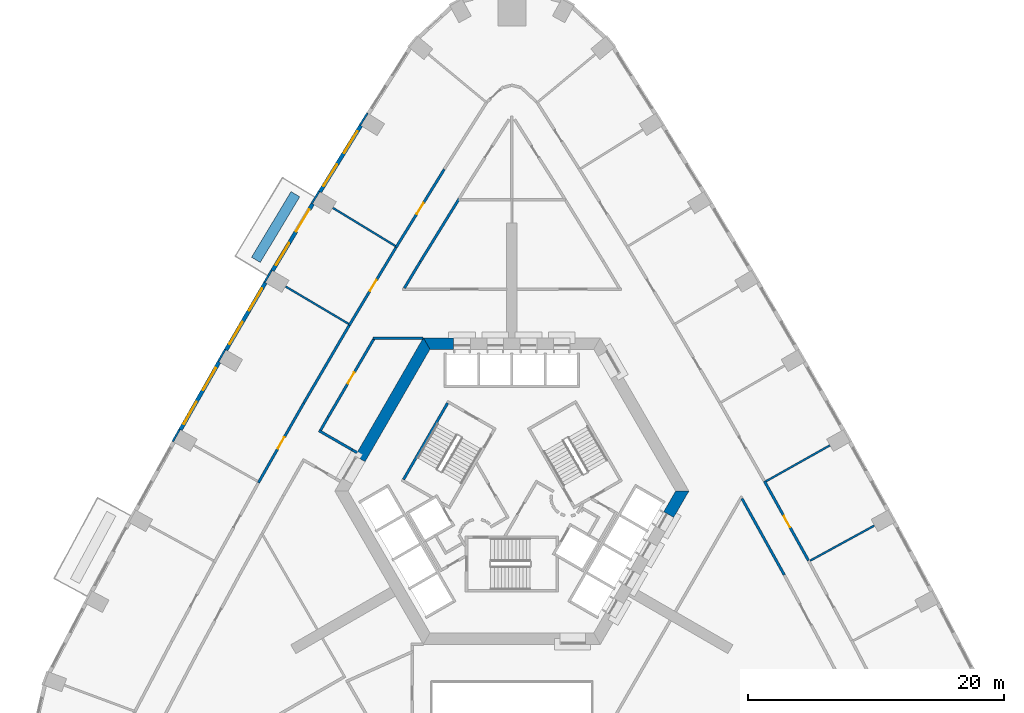
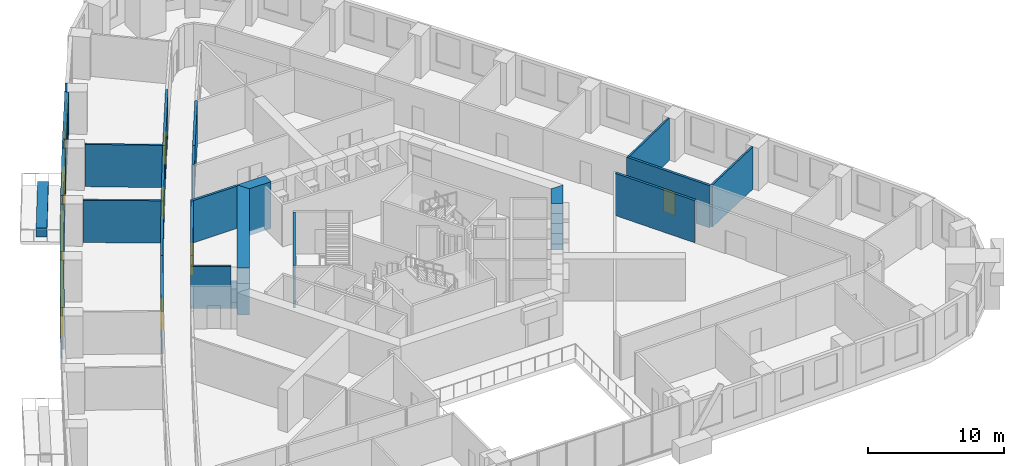
# One storey, part 8 of 16: 31 walls, 7 windows, 6 doors, 13 openings.
"""IFC4 building model written with IfcOpenShell, lengths in metres."""

from ifc_helpers import new_model, si_unit, direction, frame, frame_2d, origin, place, context, subcontext, project, spatial, polyline, rectangle, outline, extrude, material, layer, layer_set, type_object, element, fill, save


model = new_model("IFC4")

# Units and contexts
model_context = context("Model", 3, precision=1e-05, world=origin(), true_north=direction((0.0, 1.0)))
body_context = subcontext(model_context, "Body", "Model", "MODEL_VIEW")
ifc_project = project(units=[si_unit("LENGTHUNIT", "METRE"), si_unit("AREAUNIT", "SQUARE_METRE"), si_unit("VOLUMEUNIT", "CUBIC_METRE"), si_unit("PLANEANGLEUNIT", "RADIAN"), si_unit("MASSUNIT", "GRAM", prefix="KILO")], contexts=[model_context])

# Site, building, storey
site_placement = place(None, origin())
site = spatial("IfcSite", under=ifc_project, at=site_placement, CompositionType="ELEMENT")
building_placement = place(site_placement, origin())
building = spatial("IfcBuilding", under=site, at=building_placement, Name="Entoto Arch Interchange Tower", CompositionType="ELEMENT")
storey_placement = place(building_placement, frame((0.0, 0.0, 95.0)))
storey = spatial("IfcBuildingStorey", under=building, at=storey_placement, Name="L20", CompositionType="ELEMENT", Elevation=95.0)

# Walls
ifc_material_1 = material(Name="Concrete C60/75", Category="concrete")
ifc_layer_1 = layer(ifc_material_1, 0.89990234375)
ifc_layer_set_1 = layer_set([ifc_layer_1], Name="Concrete C60/75")
wall_type_1 = type_object("IfcWallType", Name="Core wall 900 C60/75", PredefinedType="SHEAR", material=ifc_layer_set_1)
wall_1_placement = place(storey_placement, frame((0.0, 0.0, -0.39990234375)))
element("IfcWall", 1, at=wall_1_placement, inside=storey, type_object=wall_type_1, Name="Core wall N L20", PredefinedType="SHEAR", context=body_context, shape_type="SweptSolid", body=[
    extrude(outline(polyline([(-4.550048828125, 13.60009765625), (-4.550048828125, 14.5), (-6.927978515625, 14.5), (-6.408935546875, 13.60009765625), (-4.550048828125, 13.60009765625)])), origin(), (0.0, 0.0, 1.0), 4.199951171875),
])
wall_2_placement = place(storey_placement, frame((0.0, 0.0, -0.39990234375)))
element("IfcWall", 2, at=wall_2_placement, inside=storey, type_object=wall_type_1, Name="Core wall NW L20", PredefinedType="SHEAR", context=body_context, shape_type="SweptSolid", body=[
    extrude(outline(polyline([(-12.26708984375, 5.251953125), (-11.488037109375, 4.802001953125), (-6.408935546875, 13.60009765625), (-6.927978515625, 14.5), (-12.26708984375, 5.251953125)])), origin(), (0.0, 0.0, 1.0), 4.199951171875),
])
wall_3_placement = place(storey_placement, frame((0.0, 0.0, -0.39990234375)))
element("IfcWall", 3, at=wall_3_placement, inside=storey, type_object=wall_type_1, Name="Core wall SE L20", PredefinedType="SHEAR", context=body_context, shape_type="SweptSolid", body=[
    extrude(outline(polyline([(11.887939453125, 0.889892578125), (12.6669921875, 0.43994140625), (13.85595703125, 2.5), (12.81689453125, 2.5), (11.887939453125, 0.889892578125)])), origin(), (0.0, 0.0, 1.0), 4.199951171875),
])
ifc_material_2 = material(Name="Gypsum board partition on steel studs", Category="steel")
ifc_layer_2 = layer(ifc_material_2, 0.14990234375)
ifc_layer_set_2 = layer_set([ifc_layer_2], Name="Gypsum board partition on steel studs")
wall_type_2 = type_object("IfcWallType", Name="PARTITION 150", PredefinedType="PARTITIONING", material=ifc_layer_set_2)
wall_4_placement = place(storey_placement, frame((23.3359375, -2.949951171875, 0.0), z_axis=(0.0, 0.0, 1.0), x_axis=(0.877455496162, 0.479658057637, 0.0)))
element("IfcWall", 4, at=wall_4_placement, inside=storey, type_object=wall_type_2, Name="wall:L20:p116", PredefinedType="PARTITIONING", context=body_context, shape_type="SweptSolid", body=[
    extrude(rectangle(XDim=5.729248046875, YDim=0.14990234375, at=frame_2d((2.86474609375, 0.0))), origin(), (0.0, 0.0, 1.0), 3.800048828125),
])
wall_5_placement = place(storey_placement, frame((19.887939453125, 3.27001953125, 0.0), z_axis=(0.0, 0.0, 1.0), x_axis=(0.871789386467, 0.489880868828, 0.0)))
element("IfcWall", 5, at=wall_5_placement, inside=storey, type_object=wall_type_2, Name="wall:L20:p117", PredefinedType="PARTITIONING", context=body_context, shape_type="SweptSolid", body=[
    extrude(rectangle(XDim=5.729736328125, YDim=0.14990234375, at=frame_2d((2.86474609375, 0.0))), origin(), (0.0, 0.0, 1.0), 3.800048828125),
])
wall_6_placement = place(storey_placement, frame((-9.113037109375, 21.68408203125, 0.0), z_axis=(0.0, 0.0, 1.0), x_axis=(-0.854075097122, 0.520149717367, 0.0)))
element("IfcWall", 6, at=wall_6_placement, inside=storey, type_object=wall_type_2, Name="wall:L20:p124", PredefinedType="PARTITIONING", context=body_context, shape_type="SweptSolid", body=[
    extrude(rectangle(XDim=5.72900390625, YDim=0.14990234375, at=frame_2d((2.864501953125, 0.0))), origin(), (0.0, 0.0, 1.0), 3.800048828125),
])
wall_7_placement = place(storey_placement, frame((-12.77587890625, 15.589111328125, 0.0), z_axis=(0.0, 0.0, 1.0), x_axis=(-0.860225086153, 0.509914503768, 0.0)))
element("IfcWall", 7, at=wall_7_placement, inside=storey, type_object=wall_type_2, Name="wall:L20:p125", PredefinedType="PARTITIONING", context=body_context, shape_type="SweptSolid", body=[
    extrude(rectangle(XDim=5.730224609375, YDim=0.14990234375, at=frame_2d((2.865234375, 0.0))), origin(), (0.0, 0.0, 1.0), 3.800048828125),
])
ifc_layer_3 = layer(ifc_material_2, 0.199951171875)
ifc_layer_set_3 = layer_set([ifc_layer_3], Name="Gypsum board partition on steel studs")
wall_type_3 = type_object("IfcWallType", Name="PARTITION 200", PredefinedType="PARTITIONING", material=ifc_layer_set_3)
wall_8_placement = place(storey_placement, frame((-4.1259765625, 25.385009765625, 0.0), z_axis=(0.0, 0.0, 1.0), x_axis=(-0.525162244663, -0.851002125016, 0.0)))
element("IfcWall", 8, at=wall_8_placement, inside=storey, type_object=wall_type_3, Name="wall:L20:p003", PredefinedType="PARTITIONING", context=body_context, shape_type="SweptSolid", body=[
    extrude(rectangle(XDim=5.75439453125, YDim=0.199951171875, at=frame_2d((2.877197265625, 0.0))), origin(), (0.0, 0.0, 1.0), 3.800048828125),
])
wall_9_placement = place(storey_placement, frame((-7.14794921875, 20.488037109375, 0.0), z_axis=(0.0, 0.0, 1.0), x_axis=(-0.515008089027, -0.857185317325, 0.0)))
element("IfcWall", 9, at=wall_9_placement, inside=storey, type_object=wall_type_3, Name="wall:L20:p004", PredefinedType="PARTITIONING", context=body_context, shape_type="SweptSolid", body=[
    extrude(rectangle(XDim=2.452392578125, YDim=0.199951171875, at=frame_2d((1.22607421875, 0.0))), origin(), (0.0, 0.0, 1.0), 3.800048828125),
])

# Wall, opening, door
wall_10_placement = place(storey_placement, frame((-10.797119140625, 14.4150390625, 0.0), z_axis=(0.0, 0.0, 1.0), x_axis=(-0.505008297342, -0.863114488128, 0.0)))
wall_10 = element("IfcWall", 10, at=wall_10_placement, inside=storey, type_object=wall_type_3, Name="wall:L20:p005", PredefinedType="PARTITIONING", context=body_context, shape_type="SweptSolid", body=[
    extrude(rectangle(XDim=7.084716796875, YDim=0.199951171875, at=frame_2d((3.54248046875, 0.0))), origin(), (0.0, 0.0, 1.0), 3.800048828125),
])
opening_1_placement = place(wall_10_placement, frame((3.04296875, 0.0, 0.0)))
opening_1 = element("IfcOpeningElement", 11, at=opening_1_placement, cuts=wall_10, Name="Opening L20-D36", PredefinedType="OPENING", context=body_context, shape_type="SweptSolid", body=[
    extrude(rectangle(XDim=1.0, YDim=2.10009765625, at=frame_2d((0.5, 1.050048828125))), frame((0.0, 0.10986328125, 0.0), z_axis=(0.0, -1.0, 0.0), x_axis=(1.0, 0.0, 0.0)), (0.0, 0.0, 1.0), 0.219970703125),
])
ifc_material_3 = material(Name="Timber door leaf in Steel S235 frame", Category="steel")
door_type_1 = type_object("IfcDoorType", Name="DOOR DS-10 1000x2100", OperationType="SINGLE_SWING_LEFT", PredefinedType="DOOR", material=ifc_material_3)
door_1_placement = place(opening_1_placement, origin())
door_1 = element("IfcDoor", 12, at=door_1_placement, inside=storey, type_object=door_type_1, Name="door:L20:36", OperationType="SINGLE_SWING_LEFT", OverallHeight=2.10009765625, OverallWidth=1.0, PredefinedType="DOOR", context=body_context, shape_type="SweptSolid", body=[
    extrude(rectangle(XDim=1.0, YDim=2.10009765625, at=frame_2d((0.5, 1.050048828125))), frame((0.0, 0.02490234375, 0.0), z_axis=(0.0, -1.0, 0.0), x_axis=(1.0, 0.0, 0.0)), (0.0, 0.0, 1.0), 0.050048828125),
])
fill(opening_1, door_1)

# Walls
wall_11_placement = place(storey_placement, frame((-14.375, 8.300048828125, 0.0), z_axis=(0.0, 0.0, 1.0), x_axis=(-0.495074026382, -0.868850797549, 0.0)))
element("IfcWall", 13, at=wall_11_placement, inside=storey, type_object=wall_type_3, Name="wall:L20:p006", PredefinedType="PARTITIONING", context=body_context, shape_type="SweptSolid", body=[
    extrude(rectangle(XDim=1.185546875, YDim=0.199951171875, at=frame_2d((0.5927734375, 0.0))), origin(), (0.0, 0.0, 1.0), 3.800048828125),
])
wall_12_placement = place(storey_placement, frame((-15.097900390625, 7.23291015625, 0.0), z_axis=(0.0, 0.0, 1.0), x_axis=(0.866101363304, -0.499868411168, 0.0)))
element("IfcWall", 14, at=wall_12_placement, inside=storey, type_object=wall_type_3, Name="wall:L20:p007", PredefinedType="PARTITIONING", context=body_context, shape_type="SweptSolid", body=[
    extrude(rectangle(XDim=2.992431640625, YDim=0.199951171875, at=frame_2d((1.49609375, 0.0))), origin(), (0.0, 0.0, 1.0), 3.800048828125),
])
wall_13_placement = place(storey_placement, frame((21.31689453125, -4.052978515625, 0.0), z_axis=(0.0, 0.0, 1.0), x_axis=(-0.484816829319, 0.874615711046, 0.0)))
element("IfcWall", 15, at=wall_13_placement, inside=storey, type_object=wall_type_3, Name="wall:L20:p018", PredefinedType="PARTITIONING", context=body_context, shape_type="SweptSolid", body=[
    extrude(rectangle(XDim=6.826904296875, YDim=0.199951171875, at=frame_2d((3.41357421875, 0.0))), origin(), (0.0, 0.0, 1.0), 3.800048828125),
])

# Wall, opening, door
wall_14_placement = place(storey_placement, frame((19.763916015625, 3.285888671875, 0.0), z_axis=(0.0, 0.0, 1.0), x_axis=(0.484858403734, -0.874592664232, 0.0)))
wall_14 = element("IfcWall", 16, at=wall_14_placement, inside=storey, type_object=wall_type_3, Name="wall:L20:p041", PredefinedType="PARTITIONING", context=body_context, shape_type="SweptSolid", body=[
    extrude(rectangle(XDim=7.109375, YDim=0.199951171875, at=frame_2d((3.5546875, 0.0))), origin(), (0.0, 0.0, 1.0), 3.800048828125),
])
opening_2_placement = place(wall_14_placement, frame((3.1298828125, 0.0, 0.0)))
opening_2 = element("IfcOpeningElement", 17, at=opening_2_placement, cuts=wall_14, Name="Opening L20-D07", PredefinedType="OPENING", context=body_context, shape_type="SweptSolid", body=[
    extrude(rectangle(XDim=1.0, YDim=2.10009765625, at=frame_2d((0.5, 1.050048828125))), frame((0.0, 0.10986328125, 0.0), z_axis=(0.0, -1.0, 0.0), x_axis=(1.0, 0.0, 0.0)), (0.0, 0.0, 1.0), 0.219970703125),
])
door_2_placement = place(opening_2_placement, origin())
door_2 = element("IfcDoor", 18, at=door_2_placement, inside=storey, type_object=door_type_1, Name="door:L20:07", OperationType="SINGLE_SWING_LEFT", OverallHeight=2.10009765625, OverallWidth=1.0, PredefinedType="DOOR", context=body_context, shape_type="SweptSolid", body=[
    extrude(rectangle(XDim=1.0, YDim=2.10009765625, at=frame_2d((0.5, 1.050048828125))), frame((0.0, 0.02490234375, 0.0), z_axis=(0.0, -1.0, 0.0), x_axis=(1.0, 0.0, 0.0)), (0.0, 0.0, 1.0), 0.050048828125),
])
fill(opening_2, door_2)

wall_15_placement = place(storey_placement, frame((-9.06689453125, 21.568115234375, 0.0), z_axis=(0.0, 0.0, 1.0), x_axis=(0.525131931126, 0.851020831068, 0.0)))
wall_15 = element("IfcWall", 19, at=wall_15_placement, inside=storey, type_object=wall_type_3, Name="wall:L20:p051", PredefinedType="PARTITIONING", context=body_context, shape_type="SweptSolid", body=[
    extrude(rectangle(XDim=7.1865234375, YDim=0.199951171875, at=frame_2d((3.59326171875, 0.0))), origin(), (0.0, 0.0, 1.0), 3.800048828125),
])
opening_3_placement = place(wall_15_placement, frame((3.093017578125, 0.0, 0.0)))
opening_3 = element("IfcOpeningElement", 20, at=opening_3_placement, cuts=wall_15, Name="Opening L20-D14", PredefinedType="OPENING", context=body_context, shape_type="SweptSolid", body=[
    extrude(rectangle(XDim=1.0, YDim=2.10009765625, at=frame_2d((0.5, 1.050048828125))), frame((0.0, 0.10986328125, 0.0), z_axis=(0.0, -1.0, 0.0), x_axis=(1.0, 0.0, 0.0)), (0.0, 0.0, 1.0), 0.219970703125),
])
door_3_placement = place(opening_3_placement, origin())
door_3 = element("IfcDoor", 21, at=door_3_placement, inside=storey, type_object=door_type_1, Name="door:L20:14", OperationType="SINGLE_SWING_RIGHT", OverallHeight=2.10009765625, OverallWidth=1.0, PredefinedType="DOOR", context=body_context, shape_type="SweptSolid", body=[
    extrude(rectangle(XDim=1.0, YDim=2.10009765625, at=frame_2d((0.5, 1.050048828125))), frame((0.0, 0.02490234375, 0.0), z_axis=(0.0, -1.0, 0.0), x_axis=(1.0, 0.0, 0.0)), (0.0, 0.0, 1.0), 0.050048828125),
])
fill(opening_3, door_3)

wall_16_placement = place(storey_placement, frame((-12.72802734375, 15.472900390625, 0.0), z_axis=(0.0, 0.0, 1.0), x_axis=(0.515010673306, 0.857183764651, 0.0)))
wall_16 = element("IfcWall", 22, at=wall_16_placement, inside=storey, type_object=wall_type_3, Name="wall:L20:p053", PredefinedType="PARTITIONING", context=body_context, shape_type="SweptSolid", body=[
    extrude(rectangle(XDim=7.11083984375, YDim=0.199951171875, at=frame_2d((3.555419921875, 0.0))), origin(), (0.0, 0.0, 1.0), 3.800048828125),
])
opening_4_placement = place(wall_16_placement, frame((3.1298828125, 0.0, 0.0)))
opening_4 = element("IfcOpeningElement", 23, at=opening_4_placement, cuts=wall_16, Name="Opening L20-D15", PredefinedType="OPENING", context=body_context, shape_type="SweptSolid", body=[
    extrude(rectangle(XDim=1.0, YDim=2.10009765625, at=frame_2d((0.5, 1.050048828125))), frame((0.0, 0.10986328125, 0.0), z_axis=(0.0, -1.0, 0.0), x_axis=(1.0, 0.0, 0.0)), (0.0, 0.0, 1.0), 0.219970703125),
])
door_4_placement = place(opening_4_placement, origin())
door_4 = element("IfcDoor", 24, at=door_4_placement, inside=storey, type_object=door_type_1, Name="door:L20:15", OperationType="SINGLE_SWING_LEFT", OverallHeight=2.10009765625, OverallWidth=1.0, PredefinedType="DOOR", context=body_context, shape_type="SweptSolid", body=[
    extrude(rectangle(XDim=1.0, YDim=2.10009765625, at=frame_2d((0.5, 1.050048828125))), frame((0.0, 0.02490234375, 0.0), z_axis=(0.0, -1.0, 0.0), x_axis=(1.0, 0.0, 0.0)), (0.0, 0.0, 1.0), 0.050048828125),
])
fill(opening_4, door_4)

wall_17_placement = place(storey_placement, frame((-19.837890625, 3.156005859375, 0.0), z_axis=(0.0, 0.0, 1.0), x_axis=(0.494978648769, 0.868905137091, 0.0)))
wall_17 = element("IfcWall", 25, at=wall_17_placement, inside=storey, type_object=wall_type_3, Name="wall:L20:p054", PredefinedType="PARTITIONING", context=body_context, shape_type="SweptSolid", body=[
    extrude(rectangle(XDim=7.18603515625, YDim=0.199951171875, at=frame_2d((3.593017578125, 0.0))), origin(), (0.0, 0.0, 1.0), 3.800048828125),
])
opening_5_placement = place(wall_17_placement, frame((3.093017578125, 0.0, 0.0)))
opening_5 = element("IfcOpeningElement", 26, at=opening_5_placement, cuts=wall_17, Name="Opening L20-D16", PredefinedType="OPENING", context=body_context, shape_type="SweptSolid", body=[
    extrude(rectangle(XDim=1.0, YDim=2.10009765625, at=frame_2d((0.5, 1.050048828125))), frame((0.0, 0.10986328125, 0.0), z_axis=(0.0, -1.0, 0.0), x_axis=(1.0, 0.0, 0.0)), (0.0, 0.0, 1.0), 0.219970703125),
])
door_5_placement = place(opening_5_placement, origin())
door_5 = element("IfcDoor", 27, at=door_5_placement, inside=storey, type_object=door_type_1, Name="door:L20:16", OperationType="SINGLE_SWING_LEFT", OverallHeight=2.10009765625, OverallWidth=1.0, PredefinedType="DOOR", context=body_context, shape_type="SweptSolid", body=[
    extrude(rectangle(XDim=1.0, YDim=2.10009765625, at=frame_2d((0.5, 1.050048828125))), frame((0.0, 0.02490234375, 0.0), z_axis=(0.0, -1.0, 0.0), x_axis=(1.0, 0.0, 0.0)), (0.0, 0.0, 1.0), 0.050048828125),
])
fill(opening_5, door_5)

# Walls
wall_18_placement = place(storey_placement, frame((-16.281005859375, 9.39990234375, 0.0), z_axis=(0.0, 0.0, 1.0), x_axis=(0.504973069247, 0.863135099121, 0.0)))
element("IfcWall", 28, at=wall_18_placement, inside=storey, type_object=wall_type_3, Name="wall:L20:p055", PredefinedType="PARTITIONING", context=body_context, shape_type="SweptSolid", body=[
    extrude(rectangle(XDim=7.035888671875, YDim=0.199951171875, at=frame_2d((3.51806640625, 0.0))), origin(), (0.0, 0.0, 1.0), 3.800048828125),
])
wall_19_placement = place(storey_placement, frame((-6.95703125, 14.449951171875, 0.0), z_axis=(0.0, 0.0, 1.0), x_axis=(-1.0, 0.0, 0.0)))
element("IfcWall", 29, at=wall_19_placement, inside=storey, type_object=wall_type_3, Name="wall:L20:p101", PredefinedType="PARTITIONING", context=body_context, shape_type="SweptSolid", body=[
    extrude(rectangle(XDim=3.919921875, YDim=0.199951171875, at=frame_2d((1.9599609375, 0.0))), origin(), (0.0, 0.0, 1.0), 3.800048828125),
])
wall_20_placement = place(storey_placement, frame((-12.506103515625, 5.737060546875, 0.0), z_axis=(0.0, 0.0, 1.0), x_axis=(0.865624510465, -0.500693725627, 0.0)))
element("IfcWall", 30, at=wall_20_placement, inside=storey, type_object=wall_type_3, Name="wall:L20:p007", PredefinedType="PARTITIONING", context=body_context, shape_type="SweptSolid", body=[
    extrude(rectangle(XDim=0.449462890625, YDim=0.199951171875, at=frame_2d((0.224609375, 0.0))), origin(), (0.0, 0.0, 1.0), 2.39990234375),
])
ifc_material_4 = material(Name="Board-marked precast concrete C50/60", Category="concrete")
ifc_layer_4 = layer(ifc_material_4, 0.800048828125)
ifc_layer_set_4 = layer_set([ifc_layer_4], Name="Board-marked precast concrete C50/60")
wall_type_4 = type_object("IfcWallType", Name="PLANTER RC 800 Juniperus procera", PredefinedType="STANDARD", material=ifc_layer_set_4)
wall_21_placement = place(storey_placement, frame((-16.94189453125, 25.739990234375, 0.0), z_axis=(0.0, 0.0, 1.0), x_axis=(-0.515088117168, -0.857137230292, 0.0)))
element("IfcWall", 31, at=wall_21_placement, inside=storey, type_object=wall_type_4, Name="Planter NW-03 L20", PredefinedType="STANDARD", context=body_context, shape_type="SweptSolid", body=[
    extrude(rectangle(XDim=5.9990234375, YDim=0.800048828125, at=frame_2d((2.99951171875, 0.0))), origin(), (0.0, 0.0, 1.0), 0.800048828125),
])
ifc_material_5 = material(Name="Concrete C40/50", Category="concrete")
ifc_layer_5 = layer(ifc_material_5, 0.199951171875)
ifc_layer_set_5 = layer_set([ifc_layer_5], Name="Concrete C40/50")
wall_type_5 = type_object("IfcWallType", Name="STAIR ENCLOSURE WALL 200", PredefinedType="STANDARD", material=ifc_layer_set_5)
wall_22_placement = place(storey_placement, frame((-5.030029296875, 9.387939453125, 0.0), z_axis=(0.0, 0.0, 1.0), x_axis=(-0.499978703459, -0.866037698999, 0.0)))
element("IfcWall", 32, at=wall_22_placement, inside=storey, type_object=wall_type_5, Name="Stair wall ST-NW back", PredefinedType="STANDARD", context=body_context, shape_type="SweptSolid", body=[
    extrude(rectangle(XDim=6.900146484375, YDim=0.199951171875, at=frame_2d((3.4501953125, 0.0))), origin(), (0.0, 0.0, 1.0), 3.800048828125),
])

# Wall, openings, windows
ifc_material_6 = material(Name="Welded tuff (ignimbrite) cladding, warm buff", Category="masonry")
ifc_layer_6 = layer(ifc_material_6, 0.300048828125)
ifc_layer_set_6 = layer_set([ifc_layer_6], Name="Welded tuff (ignimbrite) cladding, warm buff")
wall_type_6 = type_object("IfcWallType", Name="STONE INFILL WALL 300", PredefinedType="STANDARD", material=ifc_layer_set_6)
wall_23_placement = place(storey_placement, frame((-11.81396484375, 31.112060546875, 0.0), z_axis=(0.0, 0.0, 1.0), x_axis=(-0.525204788886, -0.850975869065, 0.0)))
wall_23 = element("IfcWall", 33, at=wall_23_placement, inside=storey, type_object=wall_type_6, Name="Facade wall NW-02 L20", PredefinedType="STANDARD", context=body_context, shape_type="SweptSolid", body=[
    extrude(rectangle(XDim=6.098876953125, YDim=0.300048828125, at=frame_2d((3.04931640625, 0.0))), origin(), (0.0, 0.0, 1.0), 3.800048828125),
])
opening_6_placement = place(wall_23_placement, frame((0.52490234375, 0.0, 0.89990234375)))
opening_6 = element("IfcOpeningElement", 34, at=opening_6_placement, cuts=wall_23, Name="Opening WO-C", PredefinedType="OPENING", context=body_context, shape_type="SweptSolid", body=[
    extrude(rectangle(XDim=2.0, YDim=2.60009765625, at=frame_2d((1.0, 1.300048828125))), frame((0.0, 0.16015625, 0.0), z_axis=(0.0, -1.0, 0.0), x_axis=(1.0, 0.0, 0.0)), (0.0, 0.0, 1.0), 0.320068359375),
])
opening_7_placement = place(wall_23_placement, frame((3.573974609375, 0.0, 0.89990234375)))
opening_7 = element("IfcOpeningElement", 35, at=opening_7_placement, cuts=wall_23, Name="Opening WO-C", PredefinedType="OPENING", context=body_context, shape_type="SweptSolid", body=[
    extrude(rectangle(XDim=2.0, YDim=2.60009765625, at=frame_2d((1.0, 1.300048828125))), frame((0.0, 0.16015625, 0.0), z_axis=(0.0, -1.0, 0.0), x_axis=(1.0, 0.0, 0.0)), (0.0, 0.0, 1.0), 0.320068359375),
])
ifc_material_7 = material(Name="Clear glass, low-e double glazed", Category="glass")
window_type = type_object("IfcWindowType", Name="WINDOW WO-C 2000x2600", PartitioningType="DOUBLE_PANEL_VERTICAL", PredefinedType="WINDOW", material=ifc_material_7)
window_1_placement = place(opening_6_placement, origin())
window_1 = element("IfcWindow", 36, at=window_1_placement, inside=storey, type_object=window_type, Name="Window WO-C NW-02 L20", OverallHeight=2.60009765625, OverallWidth=2.0, PartitioningType="SINGLE_PANEL", PredefinedType="WINDOW", context=body_context, shape_type="SweptSolid", body=[
    extrude(rectangle(XDim=2.0, YDim=2.60009765625, at=frame_2d((1.0, 1.300048828125))), frame((0.0, 0.030029296875, 0.0), z_axis=(0.0, -1.0, 0.0), x_axis=(1.0, 0.0, 0.0)), (0.0, 0.0, 1.0), 0.06005859375),
])
fill(opening_6, window_1)
window_2_placement = place(opening_7_placement, origin())
window_2 = element("IfcWindow", 37, at=window_2_placement, inside=storey, type_object=window_type, Name="Window WO-C NW-02 L20", OverallHeight=2.60009765625, OverallWidth=2.0, PartitioningType="SINGLE_PANEL", PredefinedType="WINDOW", context=body_context, shape_type="SweptSolid", body=[
    extrude(rectangle(XDim=2.0, YDim=2.60009765625, at=frame_2d((1.0, 1.300048828125))), frame((0.0, 0.030029296875, 0.0), z_axis=(0.0, -1.0, 0.0), x_axis=(1.0, 0.0, 0.0)), (0.0, 0.0, 1.0), 0.06005859375),
])
fill(opening_7, window_2)

# Wall, openings, door, window
wall_24_placement = place(storey_placement, frame((-15.587890625, 24.98388671875, 0.0), z_axis=(0.0, 0.0, 1.0), x_axis=(-0.515102053092, -0.857128855483, 0.0)))
wall_24 = element("IfcWall", 38, at=wall_24_placement, inside=storey, type_object=wall_type_6, Name="Facade wall NW-03 L20", PredefinedType="STANDARD", context=body_context, shape_type="SweptSolid", body=[
    extrude(rectangle(XDim=6.09814453125, YDim=0.300048828125, at=frame_2d((3.049072265625, 0.0))), origin(), (0.0, 0.0, 1.0), 3.800048828125),
])
opening_8_placement = place(wall_24_placement, frame((0.52490234375, 0.0, 0.0)))
opening_8 = element("IfcOpeningElement", 39, at=opening_8_placement, cuts=wall_24, Name="Opening DB-NW-03-L20", PredefinedType="OPENING", context=body_context, shape_type="SweptSolid", body=[
    extrude(rectangle(XDim=2.0, YDim=2.39990234375, at=frame_2d((1.0, 1.199951171875))), frame((0.0, 0.16015625, 0.0), z_axis=(0.0, -1.0, 0.0), x_axis=(1.0, 0.0, 0.0)), (0.0, 0.0, 1.0), 0.320068359375),
])
opening_9_placement = place(wall_24_placement, frame((3.573974609375, 0.0, 0.89990234375)))
opening_9 = element("IfcOpeningElement", 40, at=opening_9_placement, cuts=wall_24, Name="Opening WO-C", PredefinedType="OPENING", context=body_context, shape_type="SweptSolid", body=[
    extrude(rectangle(XDim=2.0, YDim=2.60009765625, at=frame_2d((1.0, 1.300048828125))), frame((0.0, 0.16015625, 0.0), z_axis=(0.0, -1.0, 0.0), x_axis=(1.0, 0.0, 0.0)), (0.0, 0.0, 1.0), 0.320068359375),
])
ifc_material_8 = material(Name="Aluminium and clear glass, anodised", Category="aluminium")
door_type_2 = type_object("IfcDoorType", Name="BALCONY DOOR DB 2000x2400", OperationType="SLIDING_TO_LEFT", PredefinedType="DOOR", material=ifc_material_8)
door_6_placement = place(opening_8_placement, origin())
door_6 = element("IfcDoor", 41, at=door_6_placement, inside=storey, type_object=door_type_2, Name="Balcony door NW-03 L20", OperationType="SLIDING_TO_LEFT", OverallHeight=2.39990234375, OverallWidth=2.0, PredefinedType="DOOR", context=body_context, shape_type="SweptSolid", body=[
    extrude(rectangle(XDim=2.0, YDim=2.39990234375, at=frame_2d((1.0, 1.199951171875))), frame((0.0, 0.02490234375, 0.0), z_axis=(0.0, -1.0, 0.0), x_axis=(1.0, 0.0, 0.0)), (0.0, 0.0, 1.0), 0.050048828125),
])
fill(opening_8, door_6)
window_3_placement = place(opening_9_placement, origin())
window_3 = element("IfcWindow", 42, at=window_3_placement, inside=storey, type_object=window_type, Name="Window WO-C NW-03 L20", OverallHeight=2.60009765625, OverallWidth=2.0, PartitioningType="SINGLE_PANEL", PredefinedType="WINDOW", context=body_context, shape_type="SweptSolid", body=[
    extrude(rectangle(XDim=2.0, YDim=2.60009765625, at=frame_2d((1.0, 1.300048828125))), frame((0.0, 0.030029296875, 0.0), z_axis=(0.0, -1.0, 0.0), x_axis=(1.0, 0.0, 0.0)), (0.0, 0.0, 1.0), 0.06005859375),
])
fill(opening_9, window_3)

# Wall, openings, windows
wall_25_placement = place(storey_placement, frame((-19.2890625, 18.81298828125, 0.0), z_axis=(0.0, 0.0, 1.0), x_axis=(-0.504998117261, -0.863120444413, 0.0)))
wall_25 = element("IfcWall", 43, at=wall_25_placement, inside=storey, type_object=wall_type_6, Name="Facade wall NW-04 L20", PredefinedType="STANDARD", context=body_context, shape_type="SweptSolid", body=[
    extrude(rectangle(XDim=6.0986328125, YDim=0.300048828125, at=frame_2d((3.04931640625, 0.0))), origin(), (0.0, 0.0, 1.0), 3.800048828125),
])
opening_10_placement = place(wall_25_placement, frame((0.52490234375, 0.0, 0.89990234375)))
opening_10 = element("IfcOpeningElement", 44, at=opening_10_placement, cuts=wall_25, Name="Opening WO-C", PredefinedType="OPENING", context=body_context, shape_type="SweptSolid", body=[
    extrude(rectangle(XDim=2.0, YDim=2.60009765625, at=frame_2d((1.0, 1.300048828125))), frame((0.0, 0.16015625, 0.0), z_axis=(0.0, -1.0, 0.0), x_axis=(1.0, 0.0, 0.0)), (0.0, 0.0, 1.0), 0.320068359375),
])
opening_11_placement = place(wall_25_placement, frame((3.573974609375, 0.0, 0.89990234375)))
opening_11 = element("IfcOpeningElement", 45, at=opening_11_placement, cuts=wall_25, Name="Opening WO-C", PredefinedType="OPENING", context=body_context, shape_type="SweptSolid", body=[
    extrude(rectangle(XDim=2.0, YDim=2.60009765625, at=frame_2d((1.0, 1.300048828125))), frame((0.0, 0.16015625, 0.0), z_axis=(0.0, -1.0, 0.0), x_axis=(1.0, 0.0, 0.0)), (0.0, 0.0, 1.0), 0.320068359375),
])
window_4_placement = place(opening_10_placement, origin())
window_4 = element("IfcWindow", 46, at=window_4_placement, inside=storey, type_object=window_type, Name="Window WO-C NW-04 L20", OverallHeight=2.60009765625, OverallWidth=2.0, PartitioningType="SINGLE_PANEL", PredefinedType="WINDOW", context=body_context, shape_type="SweptSolid", body=[
    extrude(rectangle(XDim=2.0, YDim=2.60009765625, at=frame_2d((1.0, 1.300048828125))), frame((0.0, 0.030029296875, 0.0), z_axis=(0.0, -1.0, 0.0), x_axis=(1.0, 0.0, 0.0)), (0.0, 0.0, 1.0), 0.06005859375),
])
fill(opening_10, window_4)
window_5_placement = place(opening_11_placement, origin())
window_5 = element("IfcWindow", 47, at=window_5_placement, inside=storey, type_object=window_type, Name="Window WO-C NW-04 L20", OverallHeight=2.60009765625, OverallWidth=2.0, PartitioningType="SINGLE_PANEL", PredefinedType="WINDOW", context=body_context, shape_type="SweptSolid", body=[
    extrude(rectangle(XDim=2.0, YDim=2.60009765625, at=frame_2d((1.0, 1.300048828125))), frame((0.0, 0.030029296875, 0.0), z_axis=(0.0, -1.0, 0.0), x_axis=(1.0, 0.0, 0.0)), (0.0, 0.0, 1.0), 0.06005859375),
])
fill(opening_11, window_5)

wall_26_placement = place(storey_placement, frame((-22.91796875, 12.597900390625, 0.0), z_axis=(0.0, 0.0, 1.0), x_axis=(-0.49492259535, -0.868937065967, 0.0)))
wall_26 = element("IfcWall", 48, at=wall_26_placement, inside=storey, type_object=wall_type_6, Name="Facade wall NW-05 L20", PredefinedType="STANDARD", context=body_context, shape_type="SweptSolid", body=[
    extrude(rectangle(XDim=6.09814453125, YDim=0.300048828125, at=frame_2d((3.049072265625, 0.0))), origin(), (0.0, 0.0, 1.0), 3.800048828125),
])
opening_12_placement = place(wall_26_placement, frame((0.52490234375, 0.0, 0.89990234375)))
opening_12 = element("IfcOpeningElement", 49, at=opening_12_placement, cuts=wall_26, Name="Opening WO-C", PredefinedType="OPENING", context=body_context, shape_type="SweptSolid", body=[
    extrude(rectangle(XDim=2.0, YDim=2.60009765625, at=frame_2d((1.0, 1.300048828125))), frame((0.0, 0.16015625, 0.0), z_axis=(0.0, -1.0, 0.0), x_axis=(1.0, 0.0, 0.0)), (0.0, 0.0, 1.0), 0.320068359375),
])
opening_13_placement = place(wall_26_placement, frame((3.573974609375, 0.0, 0.89990234375)))
opening_13 = element("IfcOpeningElement", 50, at=opening_13_placement, cuts=wall_26, Name="Opening WO-C", PredefinedType="OPENING", context=body_context, shape_type="SweptSolid", body=[
    extrude(rectangle(XDim=2.0, YDim=2.60009765625, at=frame_2d((1.0, 1.300048828125))), frame((0.0, 0.16015625, 0.0), z_axis=(0.0, -1.0, 0.0), x_axis=(1.0, 0.0, 0.0)), (0.0, 0.0, 1.0), 0.320068359375),
])
window_6_placement = place(opening_12_placement, origin())
window_6 = element("IfcWindow", 51, at=window_6_placement, inside=storey, type_object=window_type, Name="Window WO-C NW-05 L20", OverallHeight=2.60009765625, OverallWidth=2.0, PartitioningType="SINGLE_PANEL", PredefinedType="WINDOW", context=body_context, shape_type="SweptSolid", body=[
    extrude(rectangle(XDim=2.0, YDim=2.60009765625, at=frame_2d((1.0, 1.300048828125))), frame((0.0, 0.030029296875, 0.0), z_axis=(0.0, -1.0, 0.0), x_axis=(1.0, 0.0, 0.0)), (0.0, 0.0, 1.0), 0.06005859375),
])
fill(opening_12, window_6)
window_7_placement = place(opening_13_placement, origin())
window_7 = element("IfcWindow", 52, at=window_7_placement, inside=storey, type_object=window_type, Name="Window WO-C NW-05 L20", OverallHeight=2.60009765625, OverallWidth=2.0, PartitioningType="SINGLE_PANEL", PredefinedType="WINDOW", context=body_context, shape_type="SweptSolid", body=[
    extrude(rectangle(XDim=2.0, YDim=2.60009765625, at=frame_2d((1.0, 1.300048828125))), frame((0.0, 0.030029296875, 0.0), z_axis=(0.0, -1.0, 0.0), x_axis=(1.0, 0.0, 0.0)), (0.0, 0.0, 1.0), 0.06005859375),
])
fill(opening_13, window_7)

# Walls
ifc_layer_7 = layer(ifc_material_6, 0.14990234375)
ifc_layer_set_7 = layer_set([ifc_layer_7], Name="Welded tuff (ignimbrite) cladding, warm buff")
wall_type_7 = type_object("IfcWallType", Name="STONE PIER CLADDING 150", PredefinedType="STANDARD", material=ifc_layer_set_7)
wall_27_placement = place(storey_placement, frame((-11.298095703125, 32.0859375, 0.0), z_axis=(0.0, 0.0, 1.0), x_axis=(-0.52997899071, -0.848010771987, 0.0)))
element("IfcWall", 53, at=wall_27_placement, inside=storey, type_object=wall_type_7, Name="Stone pier NW02 L20", PredefinedType="STANDARD", context=body_context, shape_type="SweptSolid", body=[
    extrude(rectangle(XDim=1.10009765625, YDim=0.14990234375, at=frame_2d((0.550048828125, 0.0))), origin(), (0.0, 0.0, 1.0), 3.800048828125),
])
wall_28_placement = place(storey_placement, frame((-15.0830078125, 25.964111328125, 0.0), z_axis=(0.0, 0.0, 1.0), x_axis=(-0.51977099384, -0.854305632641, 0.0)))
element("IfcWall", 54, at=wall_28_placement, inside=storey, type_object=wall_type_7, Name="Stone pier NW03 L20", PredefinedType="STANDARD", context=body_context, shape_type="SweptSolid", body=[
    extrude(rectangle(XDim=1.1005859375, YDim=0.14990234375, at=frame_2d((0.55029296875, 0.0))), origin(), (0.0, 0.0, 1.0), 3.800048828125),
])
wall_29_placement = place(storey_placement, frame((-18.7958984375, 19.798095703125, 0.0), z_axis=(0.0, 0.0, 1.0), x_axis=(-0.510082245696, -0.860125631885, 0.0)))
element("IfcWall", 55, at=wall_29_placement, inside=storey, type_object=wall_type_7, Name="Stone pier NW04 L20", PredefinedType="STANDARD", context=body_context, shape_type="SweptSolid", body=[
    extrude(rectangle(XDim=1.099853515625, YDim=0.14990234375, at=frame_2d((0.5498046875, 0.0))), origin(), (0.0, 0.0, 1.0), 3.800048828125),
])
wall_30_placement = place(storey_placement, frame((-22.43603515625, 13.589111328125, 0.0), z_axis=(0.0, 0.0, 1.0), x_axis=(-0.499837685251, -0.86611909597, 0.0)))
element("IfcWall", 56, at=wall_30_placement, inside=storey, type_object=wall_type_7, Name="Stone pier NW05 L20", PredefinedType="STANDARD", context=body_context, shape_type="SweptSolid", body=[
    extrude(rectangle(XDim=1.100341796875, YDim=0.14990234375, at=frame_2d((0.55029296875, 0.0))), origin(), (0.0, 0.0, 1.0), 3.800048828125),
])
wall_31_placement = place(storey_placement, frame((-26.00390625, 7.337890625, 0.0), z_axis=(0.0, 0.0, 1.0), x_axis=(-0.490008344094, -0.871717742574, 0.0)))
element("IfcWall", 57, at=wall_31_placement, inside=storey, type_object=wall_type_7, Name="Stone pier NW06 L20", PredefinedType="STANDARD", context=body_context, shape_type="SweptSolid", body=[
    extrude(rectangle(XDim=1.10009765625, YDim=0.14990234375, at=frame_2d((0.550048828125, 0.0))), origin(), (0.0, 0.0, 1.0), 3.800048828125),
])

save(model, "model.ifc")
